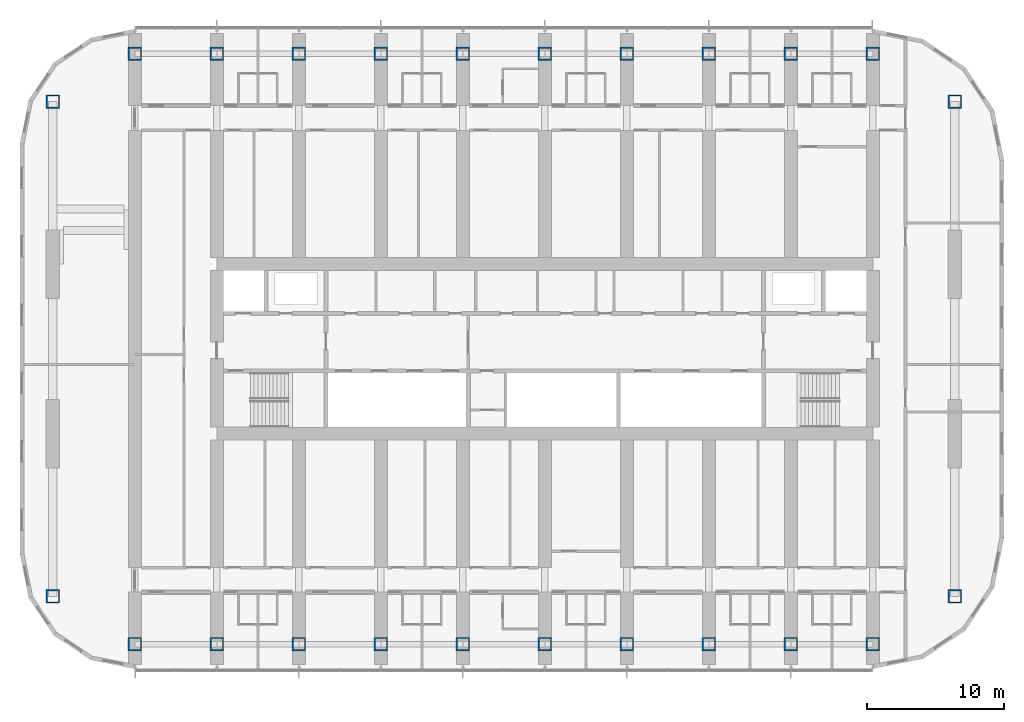
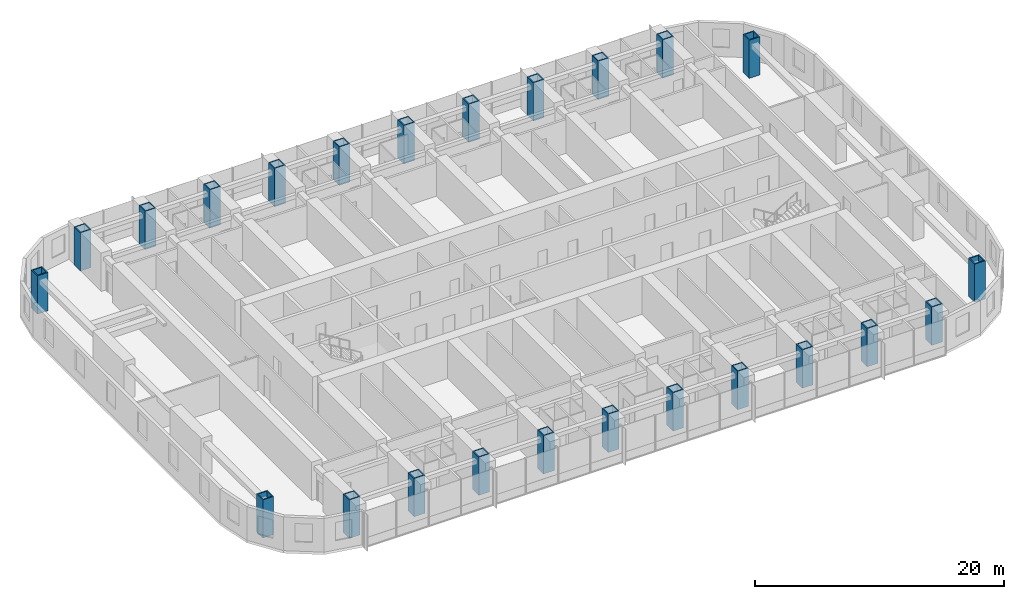
# One storey, part 1 of 21: 24 columns.
"""IFC4 building model written with IfcOpenShell, lengths in metres."""

from ifc_helpers import new_model, si_unit, direction, frame, origin, origin_2d, place, context, subcontext, project, spatial, hollow_rectangle, extrude, material, material_profile, profile_set, type_object, element, save


model = new_model("IFC4")

# Units and contexts
model_context = context("Model", 3, precision=1e-05, world=origin(), true_north=direction((0.0, 1.0)))
body_context = subcontext(model_context, "Body", "Model", "MODEL_VIEW")
ifc_project = project(units=[si_unit("LENGTHUNIT", "METRE"), si_unit("AREAUNIT", "SQUARE_METRE"), si_unit("VOLUMEUNIT", "CUBIC_METRE"), si_unit("PLANEANGLEUNIT", "RADIAN"), si_unit("MASSUNIT", "GRAM", prefix="KILO")], contexts=[model_context])

# Site, building, storey
site_placement = place(None, origin())
site = spatial("IfcSite", under=ifc_project, at=site_placement, CompositionType="ELEMENT")
building_placement = place(site_placement, origin())
building = spatial("IfcBuilding", under=site, at=building_placement, Name="Orbita Commons", CompositionType="ELEMENT")
storey_placement = place(building_placement, frame((0.0, 0.0, 95.64990234375)))
storey = spatial("IfcBuildingStorey", under=building, at=storey_placement, Name="L23", CompositionType="ELEMENT", Elevation=95.64990234375)

# Columns
ifc_material = material(Name="Steel ASTM A572 Gr 50 welded plate", Category="steel")
ifc_material_profile = material_profile(ifc_material, hollow_rectangle(XDim=1.0, YDim=1.0, WallThickness=0.10009765625, at=origin_2d()), Name="BOX 1000x1000x100")
ifc_profile_set = profile_set([ifc_material_profile], Name="Steel ASTM A572 Gr 50 welded plate")
column_type = type_object("IfcColumnType", Name="Steel column BOX 1000x1000x100", PredefinedType="COLUMN", material=ifc_profile_set)
for number, where, z_axis, x_axis, name in (
    (1, (12.0, 10.39990234375, 0.0), (0.0, 0.0, 1.0), (1.0, 0.0, 0.0), "Column 3/B L23"),
    (2, (12.0, 53.60009765625, 0.0), (0.0, 0.0, 1.0), (1.0, 0.0, 0.0), "Column 3/E L23"),
    (3, (18.0, 10.39990234375, 0.0), (0.0, 0.0, 1.0), (1.0, 0.0, 0.0), "Column 4/B L23"),
    (4, (18.0, 53.60009765625, 0.0), (0.0, 0.0, 1.0), (1.0, 0.0, 0.0), "Column 4/E L23"),
    (5, (24.0, 10.39990234375, 0.0), (0.0, 0.0, 1.0), (1.0, 0.0, 0.0), "Column 5/B L23"),
    (6, (24.0, 53.60009765625, 0.0), (0.0, 0.0, 1.0), (1.0, 0.0, 0.0), "Column 5/E L23"),
    (7, (30.0, 10.39990234375, 0.0), (0.0, 0.0, 1.0), (1.0, 0.0, 0.0), "Column 6/B L23"),
    (8, (30.0, 53.60009765625, 0.0), (0.0, 0.0, 1.0), (1.0, 0.0, 0.0), "Column 6/E L23"),
    (9, (36.0, 10.39990234375, 0.0), (0.0, 0.0, 1.0), (1.0, 0.0, 0.0), "Column 7/B L23"),
    (10, (36.0, 53.60009765625, 0.0), (0.0, 0.0, 1.0), (1.0, 0.0, 0.0), "Column 7/E L23"),
    (11, (42.0, 10.39990234375, 0.0), (0.0, 0.0, 1.0), (1.0, 0.0, 0.0), "Column 8/B L23"),
    (12, (42.0, 53.60009765625, 0.0), (0.0, 0.0, 1.0), (1.0, 0.0, 0.0), "Column 8/E L23"),
    (13, (48.0, 10.39990234375, 0.0), (0.0, 0.0, 1.0), (1.0, 0.0, 0.0), "Column 9/B L23"),
    (14, (48.0, 53.60009765625, 0.0), (0.0, 0.0, 1.0), (1.0, 0.0, 0.0), "Column 9/E L23"),
    (15, (54.0, 10.39990234375, 0.0), (0.0, 0.0, 1.0), (1.0, 0.0, 0.0), "Column 10/B L23"),
    (16, (54.0, 53.60009765625, 0.0), (0.0, 0.0, 1.0), (1.0, 0.0, 0.0), "Column 10/E L23"),
    (17, (60.0, 10.39990234375, 0.0), (0.0, 0.0, 1.0), (1.0, 0.0, 0.0), "Column 11/B L23"),
    (18, (60.0, 53.60009765625, 0.0), (0.0, 0.0, 1.0), (1.0, 0.0, 0.0), "Column 11/E L23"),
    (19, (66.0, 10.39990234375, 0.0), (0.0, 0.0, 1.0), (1.0, 0.0, 0.0), "Column 12/B L23"),
    (20, (66.0, 53.60009765625, 0.0), (0.0, 0.0, 1.0), (1.0, 0.0, 0.0), "Column 12/E L23"),
    (21, (6.0, 13.89990234375, 0.0), (0.0, 0.0, 1.0), (1.0, 0.0, 0.0), "Column 2/13.9 L23"),
    (22, (6.0, 50.10009765625, 0.0), (0.0, 0.0, 1.0), (1.0, 0.0, 0.0), "Column 2/50.1 L23"),
    (23, (72.0, 13.89990234375, 0.0), (0.0, 0.0, 1.0), (1.0, 0.0, 0.0), "Column 13/13.9 L23"),
    (24, (72.0, 50.10009765625, 0.0), (0.0, 0.0, 1.0), (1.0, 0.0, 0.0), "Column 13/50.1 L23"),
):
    element("IfcColumn", number, at=place(storey_placement, frame(where, z_axis=z_axis, x_axis=x_axis)), inside=storey, type_object=column_type, Name=name, PredefinedType="COLUMN", context=body_context, shape_type="SweptSolid", body=[
        extrude(hollow_rectangle(XDim=1.0, YDim=1.0, WallThickness=0.10009765625, at=origin_2d()), origin(), (0.0, 0.0, 1.0), 3.75),
    ])

save(model, "model.ifc")
